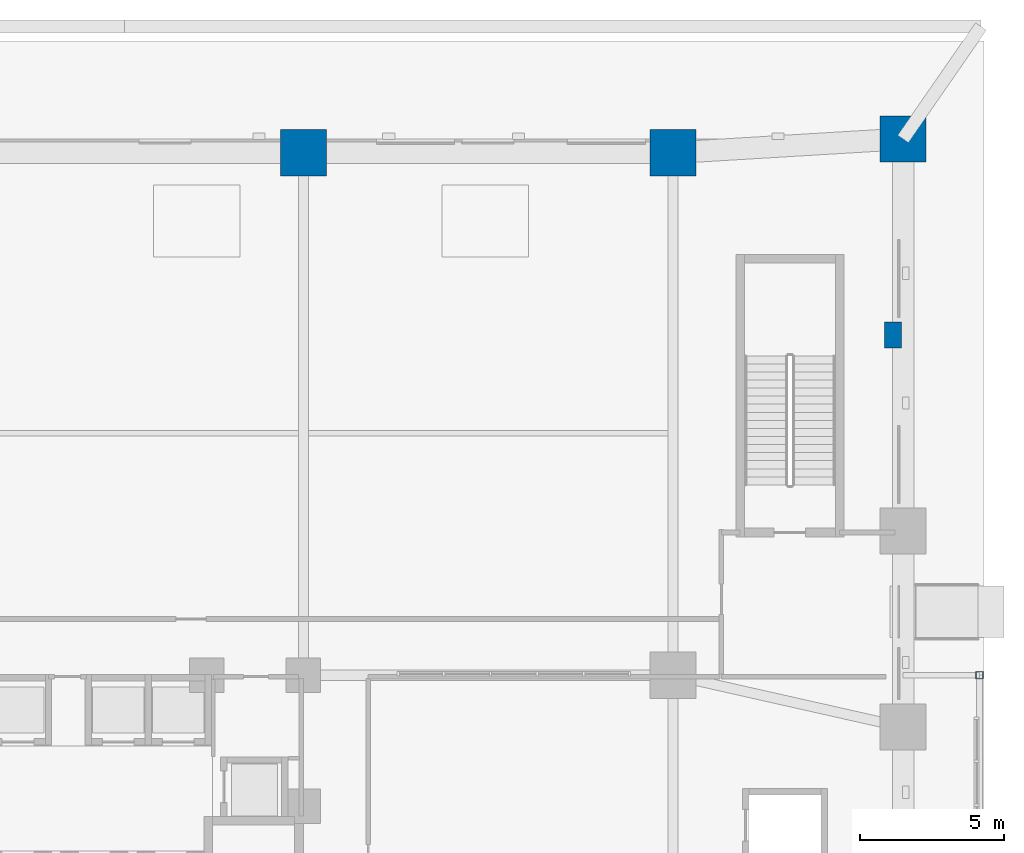
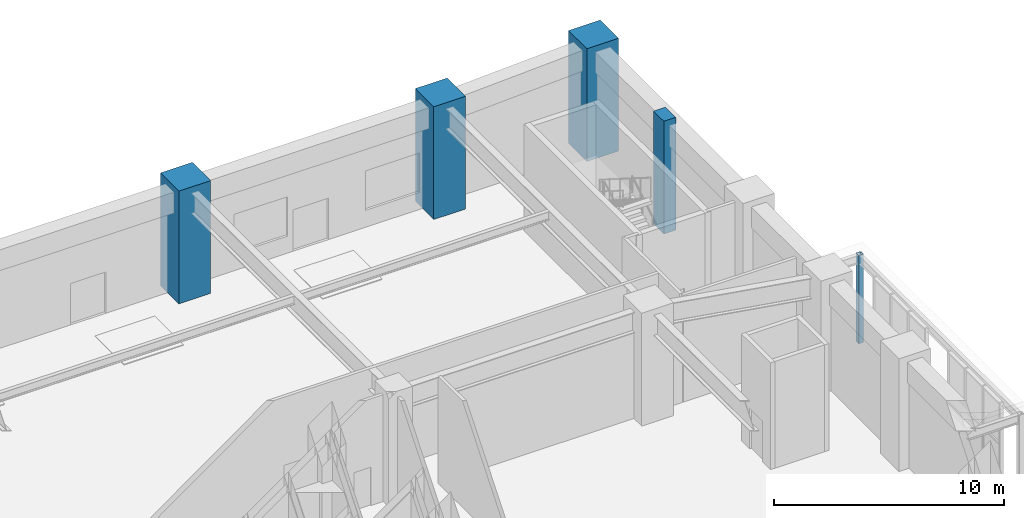
# One storey, part 5 of 24: 5 columns.
"""IFC4 building model written with IfcOpenShell, lengths in metres."""

from ifc_helpers import new_model, si_unit, derived_unit, direction, frame, origin, origin_2d, place, context, subcontext, project, spatial, rectangle, hollow_rectangle, extrude, material, material_profile, profile_set, type_object, element, save


model = new_model("IFC4")

# Units and contexts
model_context = context("Model", 3, precision=1e-05, world=origin(), true_north=direction((0.0, 1.0)))
body_context = subcontext(model_context, "Body", "Model", "MODEL_VIEW")
ifc_project = project(units=[si_unit("LENGTHUNIT", "METRE"), si_unit("AREAUNIT", "SQUARE_METRE"), si_unit("VOLUMEUNIT", "CUBIC_METRE"), si_unit("PLANEANGLEUNIT", "RADIAN"), si_unit("MASSUNIT", "GRAM", prefix="KILO"), derived_unit("THERMALTRANSMITTANCEUNIT", [(si_unit("MASSUNIT", "GRAM", prefix="KILO"), 1), (si_unit("TIMEUNIT", "SECOND"), -3), (si_unit("THERMODYNAMICTEMPERATUREUNIT", "KELVIN"), -1)])], contexts=[model_context])

# Site, building, storey
site_placement = place(None, origin())
site = spatial("IfcSite", under=ifc_project, at=site_placement, CompositionType="ELEMENT")
building_placement = place(site_placement, origin())
building = spatial("IfcBuilding", under=site, at=building_placement, Name="Korrvale Station Residences", CompositionType="ELEMENT")
storey_placement = place(building_placement, origin())
storey = spatial("IfcBuildingStorey", under=building, at=storey_placement, Name="L00", CompositionType="ELEMENT", Elevation=0.0)

# Columns
ifc_material_1 = material(Name="Steel S355", Category="steel")
ifc_material_profile_1 = material_profile(ifc_material_1, hollow_rectangle(XDim=0.25390625, YDim=0.25390625, WallThickness=0.0126953125, InnerFilletRadius=0.0126953125, OuterFilletRadius=0.025390625, at=origin_2d()), Name="HSS254x254x13")
ifc_profile_set_1 = profile_set([ifc_material_profile_1], Name="Steel S355")
column_type_1 = type_object("IfcColumnType", Name="COL-C-HSS254x254x13-S355", PredefinedType="COLUMN", material=ifc_profile_set_1)
column_1_placement = place(storey_placement, frame((56.64990234375, 29.0, 0.0), z_axis=(0.0, 0.0, 1.0), x_axis=(1.0, 0.0, 0.0)))
element("IfcColumn", 1, at=column_1_placement, inside=storey, type_object=column_type_1, Name="L00 East Canopy Portal Post 2", PredefinedType="COLUMN", context=body_context, shape_type="SweptSolid", body=[
    extrude(hollow_rectangle(XDim=0.25390625, YDim=0.25390625, WallThickness=0.0126953125, InnerFilletRadius=0.0126953125, OuterFilletRadius=0.025390625, at=origin_2d()), origin(), (0.0, 0.0, 1.0), 4.699951171875),
])
ifc_material_2 = material(Name="Concrete C70/85", Category="concrete")
ifc_material_profile_2 = material_profile(ifc_material_2, rectangle(XDim=1.60009765625, YDim=1.60009765625, at=origin_2d()), Name="RC1600x1600")
ifc_profile_set_2 = profile_set([ifc_material_profile_2], Name="Concrete C70/85")
column_type_2 = type_object("IfcColumnType", Name="COL-C-RC1600x1600-C7085", PredefinedType="COLUMN", material=ifc_profile_set_2)
for number, where, z_axis, x_axis, name in (
    (2, (54.0, 47.60009765625, 0.0), (0.0, 0.0, 1.0), (1.0, 0.0, 0.0), "L00 Station Mega-Column 12"),
    (3, (46.02001953125, 47.1201171875, 0.0), (0.0, 0.0, 1.0), (1.0, 0.0, 0.0), "L00 Station Mega-Column 20"),
    (4, (33.199951171875, 47.1201171875, 0.0), (0.0, 0.0, 1.0), (1.0, 0.0, 0.0), "L00 Station Mega-Column 24"),
):
    element("IfcColumn", number, at=place(storey_placement, frame(where, z_axis=z_axis, x_axis=x_axis)), inside=storey, type_object=column_type_2, Name=name, PredefinedType="COLUMN", context=body_context, shape_type="SweptSolid", body=[
        extrude(rectangle(XDim=1.60009765625, YDim=1.60009765625, at=origin_2d()), origin(), (0.0, 0.0, 1.0), 6.0),
    ])
ifc_material_profile_3 = material_profile(ifc_material_2, rectangle(XDim=0.60009765625, YDim=0.89990234375, at=origin_2d()), Name="RC600x900")
ifc_profile_set_3 = profile_set([ifc_material_profile_3], Name="Concrete C70/85")
column_type_3 = type_object("IfcColumnType", Name="COL-PIL-RC600x900-C7085", PredefinedType="PILASTER", material=ifc_profile_set_3)
column_2_placement = place(storey_placement, frame((53.64990234375, 40.800048828125, 0.0), z_axis=(0.0, 0.0, 1.0), x_axis=(1.0, 0.0, 0.0)))
element("IfcColumn", 5, at=column_2_placement, inside=storey, type_object=column_type_3, Name="L00 Concourse Portal Wall Pilaster 4", PredefinedType="PILASTER", context=body_context, shape_type="SweptSolid", body=[
    extrude(rectangle(XDim=0.60009765625, YDim=0.89990234375, at=origin_2d()), origin(), (0.0, 0.0, 1.0), 6.0),
])

save(model, "model.ifc")
